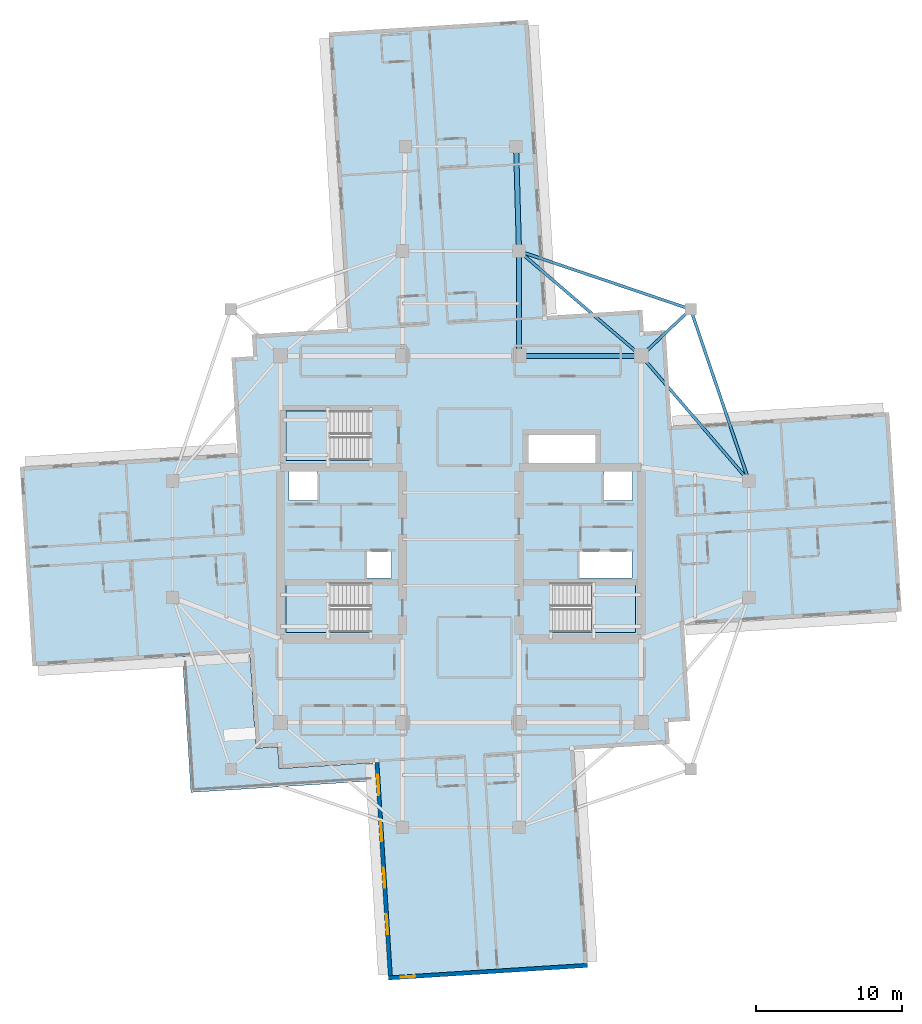
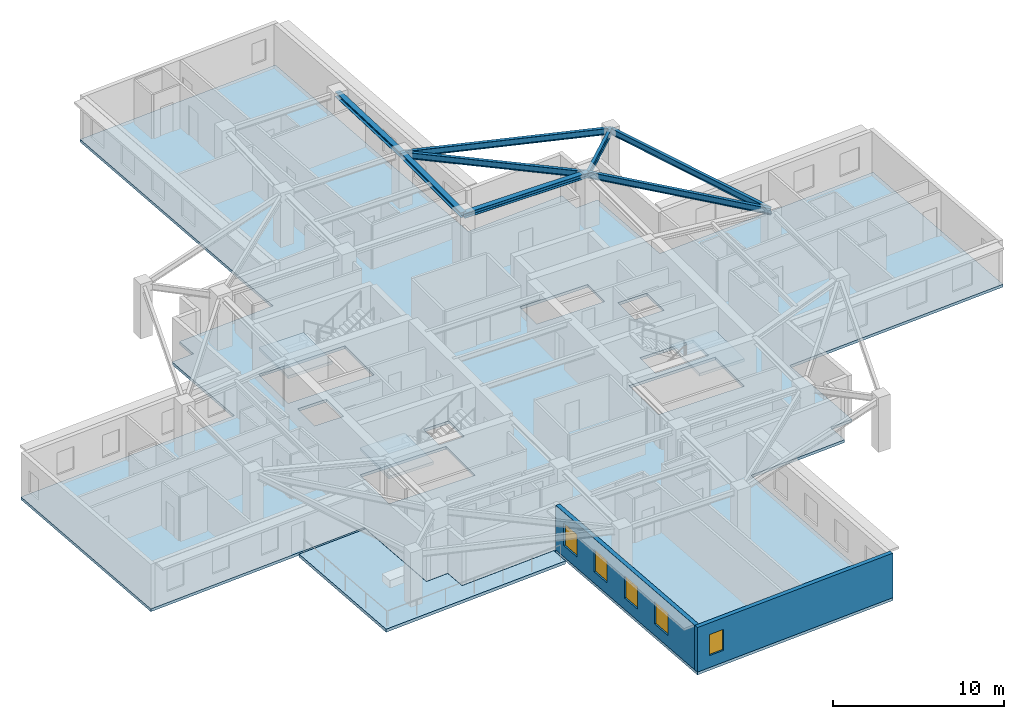
# One storey, part 2 of 12: 8 beams, 5 slabs, 5 windows, 2 walls, 5 openings, 3 elements without a shape of their own.
"""IFC4 building model written with IfcOpenShell, lengths in metres."""

import ifcopenshell
import ifcopenshell.guid

model = None  # the IFC model being written
_history = None  # IfcOwnerHistory: only IFC2X3 demands one
_inside = {}  # id of a spatial element -> (the spatial element, [elements in it])
_under = {}  # id of a project, library or spatial element -> (it, [spatial elements below it])
_declared = {}  # id of a project -> (the project, [libraries it declares])
_typed = {}  # id of a type object -> (the type object, [elements of that type])
_made_of = {}  # id of a material, layer set ... -> (it, [elements and type objects made of it])


def new_model(schema):
    """Start an empty IFC model of exactly this schema.

    Asked for "IFC4X3", IfcOpenShell would pick the latest addendum, in which some entities
    have other attributes; the version numbers below select the first issue.
    IFC2X3 requires an IfcOwnerHistory on every rooted entity: one is made here for all.
    """
    global model, _history
    if schema == "IFC4X3":
        model = ifcopenshell.file(schema_version=(4, 3, 0, 0))
    else:
        model = ifcopenshell.file(schema=schema)
    _inside.clear()
    _under.clear()
    _declared.clear()
    _typed.clear()
    _made_of.clear()
    _history = None
    if model.schema == "IFC2X3":
        org = make("IfcOrganization", Name="unknown")
        user = make(
            "IfcPersonAndOrganization",
            ThePerson=make("IfcPerson", FamilyName="unknown"),
            TheOrganization=org,
        )
        app = make(
            "IfcApplication",
            ApplicationDeveloper=org,
            Version="unknown",
            ApplicationFullName="unknown",
            ApplicationIdentifier="unknown",
        )
        _history = make(
            "IfcOwnerHistory",
            OwningUser=user,
            OwningApplication=app,
            ChangeAction="ADDED",
            CreationDate=0,
        )
    return model


def make(cls, **values):
    """One entity of the class cls with the attributes given. An attribute that is None is left unset."""
    return model.create_entity(
        cls, **{name: value for name, value in values.items() if value is not None}
    )


def rooted(cls, **values):
    """An entity with a GlobalId (a new one), such as an element, a storey or a relation."""
    return make(cls, GlobalId=ifcopenshell.guid.new(), OwnerHistory=_history, **values)


def si_unit(unit_type, name, prefix=None):
    """IfcSIUnit, for example si_unit("LENGTHUNIT", "METRE", prefix="MILLI")."""
    return make("IfcSIUnit", UnitType=unit_type, Prefix=prefix, Name=name)


def assignment(units):
    """IfcUnitAssignment: the units of a project."""
    return None if units is None else make("IfcUnitAssignment", Units=units)


def point(xyz):
    """IfcCartesianPoint."""
    return None if xyz is None else make("IfcCartesianPoint", Coordinates=xyz)


def direction(xyz):
    """IfcDirection."""
    return None if xyz is None else make("IfcDirection", DirectionRatios=xyz)


def frame(location, z_axis=None, x_axis=None):
    """IfcAxis2Placement3D, a coordinate frame: its origin and axes. An axis left out is left unset."""
    return make(
        "IfcAxis2Placement3D",
        Location=point(location),
        Axis=direction(z_axis),
        RefDirection=direction(x_axis),
    )


def frame_2d(location, x_axis=None):
    """IfcAxis2Placement2D, a coordinate frame in the plane: its origin and x axis."""
    return make(
        "IfcAxis2Placement2D", Location=point(location), RefDirection=direction(x_axis)
    )


def origin():
    """The frame at (0, 0, 0) with its axes left unset."""
    return frame((0.0, 0.0, 0.0))


def origin_2d():
    """The frame at (0, 0) in the plane with its x axis left unset."""
    return frame_2d((0.0, 0.0))


def place(relative_to, where):
    """IfcLocalPlacement: puts the frame where relative to a parent placement (None: the world)."""
    return make(
        "IfcLocalPlacement", PlacementRelTo=relative_to, RelativePlacement=where
    )


def context(
    kind, dimensions, precision=None, world=None, true_north=None, identifier=None
):
    """IfcGeometricRepresentationContext, for example the 3D "Model" context."""
    return make(
        "IfcGeometricRepresentationContext",
        ContextIdentifier=identifier,
        ContextType=kind,
        CoordinateSpaceDimension=dimensions,
        Precision=precision,
        WorldCoordinateSystem=world,
        TrueNorth=true_north,
    )


def subcontext(parent, identifier, kind, view, scale=None):
    """IfcGeometricRepresentationSubContext, for example "Body" below "Model"."""
    return make(
        "IfcGeometricRepresentationSubContext",
        ContextIdentifier=identifier,
        ContextType=kind,
        ParentContext=parent,
        TargetScale=scale,
        TargetView=view,
    )


def project(units=None, contexts=None):
    """IfcProject with its units and contexts."""
    return rooted(
        "IfcProject",
        Name="project",
        RepresentationContexts=contexts,
        UnitsInContext=assignment(units),
    )


def spatial(cls, under=None, at=None, **own):
    """A site, building, storey or space (cls), placed at a placement, below another one or the project."""
    s = rooted(cls, ObjectPlacement=at, **own)
    if under is not None:
        _under.setdefault(under.id(), (under, []))[1].append(s)
    return s


def polyline(points):
    """IfcPolyline through the points."""
    return make("IfcPolyline", Points=[point(p) for p in points])


def profile(cls, at=None, kind="AREA", **sizes):
    """A parametric profile (cls). Its sizes go by their IFC names, for example OverallWidth=200.0."""
    return make(cls, ProfileType=kind, Position=at, **sizes)


def rectangle(**sizes):
    """IfcRectangleProfileDef."""
    return profile("IfcRectangleProfileDef", **sizes)


def i_section(**sizes):
    """IfcIShapeProfileDef."""
    return profile("IfcIShapeProfileDef", **sizes)


def outline(outer, holes=None, kind="AREA"):
    """IfcArbitraryClosedProfileDef: a profile drawn as a closed curve; with holes, ...WithVoids."""
    if holes is None:
        return make("IfcArbitraryClosedProfileDef", ProfileType=kind, OuterCurve=outer)
    return make(
        "IfcArbitraryProfileDefWithVoids",
        ProfileType=kind,
        OuterCurve=outer,
        InnerCurves=holes,
    )


def extrude(swept, where, along, depth):
    """IfcExtrudedAreaSolid: the profile swept, set in the frame where, extruded along a direction by depth."""
    return make(
        "IfcExtrudedAreaSolid",
        SweptArea=swept,
        Position=where,
        ExtrudedDirection=direction(along),
        Depth=depth,
    )


def shape(context_of_items, identifier, shape_type, items):
    """IfcShapeRepresentation: the items that make up one representation, for example the "Body"."""
    return make(
        "IfcShapeRepresentation",
        ContextOfItems=context_of_items,
        RepresentationIdentifier=identifier,
        RepresentationType=shape_type,
        Items=items,
    )


def material(Name=None, Category=None):
    """IfcMaterial."""
    return make("IfcMaterial", Name=Name, Category=Category)


def layer(
    of_material, thickness, ventilated=None, Name=None, Category=None, Priority=None
):
    """IfcMaterialLayer: one layer of a wall or slab, of a material (None: an air gap)."""
    return make(
        "IfcMaterialLayer",
        Material=of_material,
        LayerThickness=thickness,
        IsVentilated=ventilated,
        Name=Name,
        Category=Category,
        Priority=Priority,
    )


def layer_set(layers, Name=None):
    """IfcMaterialLayerSet."""
    return make("IfcMaterialLayerSet", MaterialLayers=layers, LayerSetName=Name)


def material_profile(
    of_material, cross_section, Name=None, Category=None, Priority=None
):
    """IfcMaterialProfile: a cross section and its material."""
    return make(
        "IfcMaterialProfile",
        Name=Name,
        Material=of_material,
        Profile=cross_section,
        Priority=Priority,
        Category=Category,
    )


def profile_set(profiles, Name=None, composite=None):
    """IfcMaterialProfileSet."""
    return make(
        "IfcMaterialProfileSet",
        Name=Name,
        MaterialProfiles=profiles,
        CompositeProfile=composite,
    )


def made_of(thing, what):
    """Note that an element or type object is made of a material, layer set ...; save() writes the relation."""
    if what is not None:
        _made_of.setdefault(what.id(), (what, []))[1].append(thing)
    return thing


def type_object(cls, material=None, **own):
    """A type object (cls), such as IfcWallType, which elements share."""
    return made_of(rooted(cls, **own), material)


def element(
    cls,
    number,
    at=None,
    inside=None,
    cuts=None,
    type_object=None,
    material=None,
    context=None,
    identifier="Body",
    shape_type=None,
    held_by="IfcProductDefinitionShape",
    body=None,
    shapes=None,
    **own,
):
    """One element of the class cls, such as IfcWall. Its Tag is "e" and its number.

    at: its placement. inside: the storey or other place that contains it. cuts: it is an
    opening in that element (IfcRelVoidsElement). A single representation is given by context,
    identifier, shape_type and body (its items); several are given by shapes. held_by: the class
    of the entity that holds the representations. save() writes the other relations.
    """
    e = rooted(cls, Tag="e%d" % number, ObjectPlacement=at, **own)
    if body is not None:
        shapes = [shape(context, identifier, shape_type, body)]
    if shapes is not None:
        e.Representation = make(held_by, Representations=shapes)
    if inside is not None:
        _inside.setdefault(inside.id(), (inside, []))[1].append(e)
    if cuts is not None:
        rooted(
            "IfcRelVoidsElement", RelatingBuildingElement=cuts, RelatedOpeningElement=e
        )
    if type_object is not None:
        _typed.setdefault(type_object.id(), (type_object, []))[1].append(e)
    return made_of(e, material)


def fill(opening, filler):
    """IfcRelFillsElement: the door or window that sits in an opening."""
    return rooted(
        "IfcRelFillsElement",
        RelatingOpeningElement=opening,
        RelatedBuildingElement=filler,
    )


def aggregate(whole, parts):
    """IfcRelAggregates: a whole, such as a stair, and the parts it consists of."""
    return rooted("IfcRelAggregates", RelatingObject=whole, RelatedObjects=parts)


def save(model, path):
    """Write the relations noted so far, then the file.

    IfcRelAggregates (storeys below a building ...), IfcRelContainedInSpatialStructure (elements
    in a storey), IfcRelDefinesByType, IfcRelAssociatesMaterial and IfcRelDeclares: one each for
    every whole, place, type object, material and project.
    """
    for whole, parts in _under.values():
        aggregate(whole, parts)
    for where, things in _inside.values():
        rooted(
            "IfcRelContainedInSpatialStructure",
            RelatedElements=things,
            RelatingStructure=where,
        )
    for kind, things in _typed.values():
        rooted("IfcRelDefinesByType", RelatedObjects=things, RelatingType=kind)
    for what, things in _made_of.values():
        rooted("IfcRelAssociatesMaterial", RelatedObjects=things, RelatingMaterial=what)
    for by, libraries in _declared.values():
        rooted("IfcRelDeclares", RelatingContext=by, RelatedDefinitions=libraries)
    model.write(path)


model = new_model("IFC4")

# Units and contexts
model_context = context("Model", 3, precision=1e-05, world=origin(), true_north=direction((0.0, 1.0)))
body_context = subcontext(model_context, "Body", "Model", "MODEL_VIEW")
ifc_project = project(units=[si_unit("LENGTHUNIT", "METRE"), si_unit("AREAUNIT", "SQUARE_METRE"), si_unit("VOLUMEUNIT", "CUBIC_METRE"), si_unit("PLANEANGLEUNIT", "RADIAN"), si_unit("MASSUNIT", "GRAM", prefix="KILO")], contexts=[model_context])

# Site, building, storey
site_placement = place(None, origin())
site = spatial("IfcSite", under=ifc_project, at=site_placement, CompositionType="ELEMENT")
building_placement = place(site_placement, origin())
building = spatial("IfcBuilding", under=site, at=building_placement, Name="Qingluan Cross Belvedere", CompositionType="ELEMENT")
storey_placement = place(building_placement, frame((0.0, 0.0, 209.10009765625)))
storey = spatial("IfcBuildingStorey", under=building, at=storey_placement, Name="L52", CompositionType="ELEMENT", Elevation=209.10009765625)

# Beams
ifc_material_1 = material(Name="Steel Q420GJB", Category="steel")
ifc_material_profile_1 = material_profile(ifc_material_1, i_section(OverallWidth=0.199951171875, OverallDepth=0.449951171875, WebThickness=0.009033203125, FlangeThickness=0.013916015625, FilletRadius=0.01611328125, at=origin_2d()), Name="HN450x200x9x14")
ifc_profile_set_1 = profile_set([ifc_material_profile_1], Name="Steel Q420GJB")
beam_type_1 = type_object("IfcBeamType", Name="Steel_Beam_HN450x200x9x14", PredefinedType="JOIST", material=ifc_profile_set_1)
beam_1_placement = place(storey_placement, frame((12.39990234375, 12.60009765625, 3.474853515625), z_axis=(0.728219948308, 0.685343495546, 0.0), x_axis=(-0.685343495546, 0.728219948308, 0.0)))
element("IfcBeam", 1, at=beam_1_placement, inside=storey, type_object=beam_type_1, Name="Corner beam 1 L52-RNE", PredefinedType="JOIST", context=body_context, shape_type="SweptSolid", body=[
    extrude(i_section(OverallWidth=0.199951171875, OverallDepth=0.449951171875, WebThickness=0.009033203125, FlangeThickness=0.013916015625, FilletRadius=0.01611328125, at=origin_2d()), origin(), (0.0, 0.0, 1.0), 4.669189453125),
])
for number, where, z_axis, x_axis, name in (
    (2, (15.800048828125, 15.800048828125, 3.474853515625), (-0.947066283324, 0.321038089628, 0.0), (-0.321038089628, -0.947066283324, 0.0), "Corner beam 2 L52-RNE"),
    (3, (15.800048828125, 15.800048828125, 3.474853515625), (0.321038089628, -0.947066283324, 0.0), (0.947066283324, 0.321038089628, 0.0), "Corner beam 3 L52-RNE"),
):
    element("IfcBeam", number, at=place(storey_placement, frame(where, z_axis=z_axis, x_axis=x_axis)), inside=storey, type_object=beam_type_1, Name=name, PredefinedType="JOIST", context=body_context, shape_type="SweptSolid", body=[
        extrude(i_section(OverallWidth=0.199951171875, OverallDepth=0.449951171875, WebThickness=0.009033203125, FlangeThickness=0.013916015625, FilletRadius=0.01611328125, at=origin_2d()), origin(), (0.0, 0.0, 1.0), 12.45947265625),
    ])
beam_2_placement = place(storey_placement, frame((12.39990234375, 12.60009765625, 3.474853515625), z_axis=(0.652245077546, -0.75800815221, 0.0), x_axis=(0.75800815221, 0.652245077546, 0.0)))
element("IfcBeam", 4, at=beam_2_placement, inside=storey, type_object=beam_type_1, Name="Corner beam 4 L52-RNE", PredefinedType="JOIST", context=body_context, shape_type="SweptSolid", body=[
    extrude(i_section(OverallWidth=0.199951171875, OverallDepth=0.449951171875, WebThickness=0.009033203125, FlangeThickness=0.013916015625, FilletRadius=0.01611328125, at=origin_2d()), origin(), (0.0, 0.0, 1.0), 11.345703125),
])
beam_3_placement = place(storey_placement, frame((12.39990234375, 12.60009765625, 3.474853515625), z_axis=(-0.759255044656, 0.650793190779, 0.0), x_axis=(-0.650793190779, -0.759255044656, 0.0)))
element("IfcBeam", 5, at=beam_3_placement, inside=storey, type_object=beam_type_1, Name="Corner beam 5 L52-RNE", PredefinedType="JOIST", context=body_context, shape_type="SweptSolid", body=[
    extrude(i_section(OverallWidth=0.199951171875, OverallDepth=0.449951171875, WebThickness=0.009033203125, FlangeThickness=0.013916015625, FilletRadius=0.01611328125, at=origin_2d()), origin(), (0.0, 0.0, 1.0), 11.063232421875),
])
ifc_material_2 = material(Name="Steel Q420GJB", Category="steel")
ifc_material_profile_2 = material_profile(ifc_material_2, i_section(OverallWidth=0.35009765625, OverallDepth=0.35009765625, WebThickness=0.011962890625, FlangeThickness=0.01904296875, FilletRadius=0.02001953125, at=origin_2d()), Name="HW350x350x12x19")
ifc_profile_set_2 = profile_set([ifc_material_profile_2], Name="Steel Q420GJB")
beam_type_2 = type_object("IfcBeamType", Name="Steel_Girder_HW350x350x12x19", PredefinedType="USERDEFINED", material=ifc_profile_set_2)
beam_4_placement = place(storey_placement, frame((4.0, 12.60009765625, 3.52490234375), z_axis=(1.0, 0.0, 0.0), x_axis=(0.0, 1.0, 0.0)))
element("IfcBeam", 6, at=beam_4_placement, inside=storey, type_object=beam_type_2, Name="Hub girder L52-HG-N3", ObjectType="GIRDER", PredefinedType="USERDEFINED", context=body_context, shape_type="SweptSolid", body=[
    extrude(i_section(OverallWidth=0.35009765625, OverallDepth=0.35009765625, WebThickness=0.011962890625, FlangeThickness=0.01904296875, FilletRadius=0.02001953125, at=origin_2d()), origin(), (0.0, 0.0, 1.0), 8.39990234375),
])
beam_5_placement = place(storey_placement, frame((4.0, 12.60009765625, 3.52490234375), z_axis=(0.0, 1.0, 0.0), x_axis=(-1.0, 0.0, 0.0)))
element("IfcBeam", 7, at=beam_5_placement, inside=storey, type_object=beam_type_2, Name="Arm N radial girder B L52", ObjectType="GIRDER", PredefinedType="USERDEFINED", context=body_context, shape_type="SweptSolid", body=[
    extrude(i_section(OverallWidth=0.35009765625, OverallDepth=0.35009765625, WebThickness=0.011962890625, FlangeThickness=0.01904296875, FilletRadius=0.02001953125, at=origin_2d()), origin(), (0.0, 0.0, 1.0), 7.199951171875),
])
beam_6_placement = place(storey_placement, frame((4.0, 19.800048828125, 3.52490234375), z_axis=(-0.027760481514, 0.999614603568, 0.0), x_axis=(-0.999614603568, -0.027760481514, 0.0)))
element("IfcBeam", 8, at=beam_6_placement, inside=storey, type_object=beam_type_2, Name="Arm N outer radial girder B L52", ObjectType="GIRDER", PredefinedType="USERDEFINED", context=body_context, shape_type="SweptSolid", body=[
    extrude(i_section(OverallWidth=0.35009765625, OverallDepth=0.35009765625, WebThickness=0.011962890625, FlangeThickness=0.01904296875, FilletRadius=0.02001953125, at=origin_2d()), origin(), (0.0, 0.0, 1.0), 7.20263671875),
])

# Slab
ifc_material_3 = material(Name="Concrete C40", Category="concrete")
ifc_layer_1 = layer(ifc_material_3, 0.199951171875, Name="FloorSlab_200")
ifc_layer_set_1 = layer_set([ifc_layer_1], Name="Concrete C40")
slab_type_1 = type_object("IfcSlabType", Name="FloorSlab_200", PredefinedType="FLOOR", material=ifc_layer_set_1)
slab_1_placement = place(storey_placement, frame((0.0, 0.0, -0.2001953125)))
element("IfcSlab", 9, at=slab_1_placement, inside=storey, type_object=slab_type_1, Name="Structural floor slab L52", PredefinedType="FLOOR", context=body_context, shape_type="SweptSolid", body=[
    extrude(outline(polyline([(8.72509765625, -29.43017578125), (7.78466796875, -14.479736328125), (14.3515625, -14.066650390625), (14.25732421875, -12.569580078125), (15.75439453125, -12.475341796875), (15.34130859375, -5.908447265625), (30.291748046875, -4.9677734375), (29.43017578125, 8.72509765625), (14.479736328125, 7.78466796875), (14.066650390625, 14.3515625), (12.569580078125, 14.25732421875), (12.475341796875, 15.75439453125), (5.908447265625, 15.34130859375), (4.628662109375, 35.680908203125), (-9.064208984375, 34.819580078125), (-7.78466796875, 14.479736328125), (-14.3515625, 14.066650390625), (-14.25732421875, 12.569580078125), (-15.75439453125, 12.475341796875), (-15.34130859375, 5.908447265625), (-30.291748046875, 4.9677734375), (-29.43017578125, -8.72509765625), (-14.479736328125, -7.78466796875), (-14.066650390625, -14.3515625), (-12.569580078125, -14.25732421875), (-12.475341796875, -15.75439453125), (-5.908447265625, -15.34130859375), (-4.9677734375, -30.291748046875), (8.72509765625, -29.43017578125)]), holes=[polyline([(-12.0, -3.0), (-6.179931640625, -3.0), (-6.179931640625, -6.39990234375), (-12.0, -6.39990234375), (-12.0, -3.0)]), polyline([(6.179931640625, -3.0), (12.0, -3.0), (12.0, -6.39990234375), (6.179931640625, -6.39990234375), (6.179931640625, -3.0)]), polyline([(-12.0, 8.820068359375), (-6.179931640625, 8.820068359375), (-6.179931640625, 5.419921875), (-12.0, 5.419921875), (-12.0, 8.820068359375)]), polyline([(-11.800048828125, 4.64990234375), (-9.85009765625, 4.64990234375), (-9.85009765625, 2.64990234375), (-11.800048828125, 2.64990234375), (-11.800048828125, 4.64990234375)]), polyline([(9.85009765625, 4.64990234375), (11.800048828125, 4.64990234375), (11.800048828125, 2.64990234375), (9.85009765625, 2.64990234375), (9.85009765625, 4.64990234375)]), polyline([(-6.449951171875, -0.840087890625), (-4.75, -0.840087890625), (-4.75, -2.659912109375), (-6.449951171875, -2.659912109375), (-6.449951171875, -0.840087890625)]), polyline([(8.14990234375, -0.840087890625), (11.75, -0.840087890625), (11.75, -2.659912109375), (8.14990234375, -2.659912109375), (8.14990234375, -0.840087890625)]), polyline([(4.64990234375, 7.14990234375), (9.25, 7.14990234375), (9.25, 5.14990234375), (4.64990234375, 5.14990234375), (4.64990234375, 7.14990234375)])]), origin(), (0.0, 0.0, 1.0), 0.2001953125),
])

# Stair, slab
ifc_material_4 = material(Name="Concrete C40", Category="concrete")
stair_type = type_object("IfcStairType", Name="CoreDoglegStair_1620", PredefinedType="HALF_TURN_STAIR", material=ifc_material_4)
stair_1_placement = place(storey_placement, origin())
stair_1 = element("IfcStair", 10, at=stair_1_placement, inside=storey, type_object=stair_type, Name="L52 ST1", PredefinedType="HALF_TURN_STAIR")
ifc_material_5 = material(Name="Concrete C40", Category="concrete")
ifc_layer_2 = layer(ifc_material_5, 0.179931640625, Name="StairLandingSlab_180")
ifc_layer_set_2 = layer_set([ifc_layer_2], Name="Concrete C40")
slab_type_2 = type_object("IfcSlabType", Name="StairLandingSlab_180", PredefinedType="LANDING", material=ifc_layer_set_2)
slab_2_placement = place(storey_placement, frame((0.0, 0.0, 1.75)))
slab_2 = element("IfcSlab", 11, at=slab_2_placement, type_object=slab_type_2, Name="ST1 landing 1", PredefinedType="LANDING", context=body_context, shape_type="SweptSolid", body=[
    extrude(outline(polyline([(-8.97998046875, -3.0), (-12.0, -3.0), (-12.0, -6.39990234375), (-8.97998046875, -6.39990234375), (-8.97998046875, -3.0)])), origin(), (0.0, 0.0, 1.0), 0.199951171875),
])
aggregate(stair_1, [slab_2])

stair_2_placement = place(storey_placement, origin())
stair_2 = element("IfcStair", 12, at=stair_2_placement, inside=storey, type_object=stair_type, Name="L52 ST2", PredefinedType="HALF_TURN_STAIR")
slab_3_placement = place(storey_placement, frame((0.0, 0.0, 1.75)))
slab_3 = element("IfcSlab", 13, at=slab_3_placement, type_object=slab_type_2, Name="ST2 landing 1", PredefinedType="LANDING", context=body_context, shape_type="SweptSolid", body=[
    extrude(outline(polyline([(8.97998046875, -6.39990234375), (12.0, -6.39990234375), (12.0, -3.0), (8.97998046875, -3.0), (8.97998046875, -6.39990234375)])), origin(), (0.0, 0.0, 1.0), 0.199951171875),
])
aggregate(stair_2, [slab_3])

stair_3_placement = place(storey_placement, origin())
stair_3 = element("IfcStair", 14, at=stair_3_placement, inside=storey, type_object=stair_type, Name="L52 ST3", PredefinedType="HALF_TURN_STAIR")
slab_4_placement = place(storey_placement, frame((0.0, 0.0, 1.75)))
slab_4 = element("IfcSlab", 15, at=slab_4_placement, type_object=slab_type_2, Name="ST3 landing 1", PredefinedType="LANDING", context=body_context, shape_type="SweptSolid", body=[
    extrude(outline(polyline([(-8.97998046875, 8.820068359375), (-12.0, 8.820068359375), (-12.0, 5.419921875), (-8.97998046875, 5.419921875), (-8.97998046875, 8.820068359375)])), origin(), (0.0, 0.0, 1.0), 0.199951171875),
])
aggregate(stair_3, [slab_4])

# Slab
ifc_material_6 = material(Name="Concrete C40", Category="concrete")
ifc_layer_3 = layer(ifc_material_6, 0.219970703125, Name="TerraceSlab_220")
ifc_layer_set_3 = layer_set([ifc_layer_3], Name="Concrete C40")
slab_type_3 = type_object("IfcSlabType", Name="TerraceSlab_220", PredefinedType="FLOOR", material=ifc_layer_set_3)
slab_5_placement = place(storey_placement, frame((0.0, 0.0, -0.22021484375)))
element("IfcSlab", 16, at=slab_5_placement, inside=storey, type_object=slab_type_3, Name="Spiralling winter-garden terrace slab L52", PredefinedType="FLOOR", context=body_context, shape_type="SweptSolid", body=[
    extrude(outline(polyline([(-6.047607421875, -15.360107421875), (-12.48046875, -15.76318359375), (-12.578857421875, -14.26806640625), (-14.06591796875, -14.361572265625), (-14.076416015625, -14.35400390625), (-14.48095703125, -7.9248046875), (-19.121826171875, -8.216796875), (-18.544189453125, -17.398681640625), (-5.968994140625, -16.607666015625), (-6.047607421875, -15.360107421875)])), origin(), (0.0, 0.0, 1.0), 0.22021484375),
])

# Wall, openings, windows
ifc_material_7 = material(Name="Precast concrete C45", Category="concrete")
ifc_layer_4 = layer(ifc_material_7, 0.280029296875, Name="PrecastFacadeWall_280")
ifc_layer_set_4 = layer_set([ifc_layer_4], Name="Precast concrete C45")
wall_type = type_object("IfcWallType", Name="PrecastFacadeWall_280", PredefinedType="STANDARD", material=ifc_layer_set_4)
wall_1_placement = place(storey_placement, frame((-5.7685546875, -15.33251953125, 0.0), z_axis=(0.0, 0.0, 1.0), x_axis=(0.062779465852, -0.998027423805, 0.0)))
wall_1 = element("IfcWall", 17, at=wall_1_placement, inside=storey, type_object=wall_type, Name="Facade wall L52-SA", PredefinedType="STANDARD", context=body_context, shape_type="SweptSolid", body=[
    extrude(rectangle(XDim=14.699951171875, YDim=0.280029296875, at=frame_2d((7.35009765625, 0.0))), origin(), (0.0, 0.0, 1.0), 3.179931640625),
])
opening_1_placement = place(wall_1_placement, frame((0.85009765625, 0.0, 0.800048828125)))
opening_1 = element("IfcOpeningElement", 18, at=opening_1_placement, cuts=wall_1, Name="Opening W-01", PredefinedType="OPENING", context=body_context, shape_type="SweptSolid", body=[
    extrude(rectangle(XDim=1.39990234375, YDim=1.60009765625, at=frame_2d((0.699951171875, 0.800048828125))), frame((0.0, 0.14990234375, 0.0), z_axis=(0.0, -1.0, 0.0), x_axis=(1.0, 0.0, 0.0)), (0.0, 0.0, 1.0), 0.300048828125),
])
opening_2_placement = place(wall_1_placement, frame((4.050048828125, 0.0, 0.800048828125)))
opening_2 = element("IfcOpeningElement", 19, at=opening_2_placement, cuts=wall_1, Name="Opening W-01", PredefinedType="OPENING", context=body_context, shape_type="SweptSolid", body=[
    extrude(rectangle(XDim=1.39990234375, YDim=1.60009765625, at=frame_2d((0.699951171875, 0.800048828125))), frame((0.0, 0.14990234375, 0.0), z_axis=(0.0, -1.0, 0.0), x_axis=(1.0, 0.0, 0.0)), (0.0, 0.0, 1.0), 0.300048828125),
])
opening_3_placement = place(wall_1_placement, frame((7.25, 0.0, 0.800048828125)))
opening_3 = element("IfcOpeningElement", 20, at=opening_3_placement, cuts=wall_1, Name="Opening W-01", PredefinedType="OPENING", context=body_context, shape_type="SweptSolid", body=[
    extrude(rectangle(XDim=1.39990234375, YDim=1.60009765625, at=frame_2d((0.699951171875, 0.800048828125))), frame((0.0, 0.14990234375, 0.0), z_axis=(0.0, -1.0, 0.0), x_axis=(1.0, 0.0, 0.0)), (0.0, 0.0, 1.0), 0.300048828125),
])
opening_4_placement = place(wall_1_placement, frame((10.449951171875, 0.0, 0.800048828125)))
opening_4 = element("IfcOpeningElement", 21, at=opening_4_placement, cuts=wall_1, Name="Opening W-01", PredefinedType="OPENING", context=body_context, shape_type="SweptSolid", body=[
    extrude(rectangle(XDim=1.39990234375, YDim=1.60009765625, at=frame_2d((0.699951171875, 0.800048828125))), frame((0.0, 0.14990234375, 0.0), z_axis=(0.0, -1.0, 0.0), x_axis=(1.0, 0.0, 0.0)), (0.0, 0.0, 1.0), 0.300048828125),
])
ifc_material_8 = material(Name="Thermally broken triple Low-E glass in aluminium frame", Category="aluminium")
window_type_1 = type_object("IfcWindowType", Name="TriRibbonWin_1400x1600", PartitioningType="SINGLE_PANEL", PredefinedType="WINDOW", material=ifc_material_8)
window_1_placement = place(opening_1_placement, origin())
window_1 = element("IfcWindow", 22, at=window_1_placement, inside=storey, type_object=window_type_1, Name="Ribbon window L52-SA-1", OverallHeight=1.60009765625, OverallWidth=1.39990234375, PartitioningType="SINGLE_PANEL", PredefinedType="WINDOW", context=body_context, shape_type="SweptSolid", body=[
    extrude(rectangle(XDim=1.39990234375, YDim=1.60009765625, at=frame_2d((0.699951171875, 0.800048828125))), frame((0.0, 0.030029296875, 0.0), z_axis=(0.0, -1.0, 0.0), x_axis=(1.0, 0.0, 0.0)), (0.0, 0.0, 1.0), 0.06005859375),
])
fill(opening_1, window_1)
window_2_placement = place(opening_2_placement, origin())
window_2 = element("IfcWindow", 23, at=window_2_placement, inside=storey, type_object=window_type_1, Name="Ribbon window L52-SA-2", OverallHeight=1.60009765625, OverallWidth=1.39990234375, PartitioningType="SINGLE_PANEL", PredefinedType="WINDOW", context=body_context, shape_type="SweptSolid", body=[
    extrude(rectangle(XDim=1.39990234375, YDim=1.60009765625, at=frame_2d((0.699951171875, 0.800048828125))), frame((0.0, 0.030029296875, 0.0), z_axis=(0.0, -1.0, 0.0), x_axis=(1.0, 0.0, 0.0)), (0.0, 0.0, 1.0), 0.06005859375),
])
fill(opening_2, window_2)
window_3_placement = place(opening_3_placement, origin())
window_3 = element("IfcWindow", 24, at=window_3_placement, inside=storey, type_object=window_type_1, Name="Ribbon window L52-SA-3", OverallHeight=1.60009765625, OverallWidth=1.39990234375, PartitioningType="SINGLE_PANEL", PredefinedType="WINDOW", context=body_context, shape_type="SweptSolid", body=[
    extrude(rectangle(XDim=1.39990234375, YDim=1.60009765625, at=frame_2d((0.699951171875, 0.800048828125))), frame((0.0, 0.030029296875, 0.0), z_axis=(0.0, -1.0, 0.0), x_axis=(1.0, 0.0, 0.0)), (0.0, 0.0, 1.0), 0.06005859375),
])
fill(opening_3, window_3)
window_4_placement = place(opening_4_placement, origin())
window_4 = element("IfcWindow", 25, at=window_4_placement, inside=storey, type_object=window_type_1, Name="Ribbon window L52-SA-4", OverallHeight=1.60009765625, OverallWidth=1.39990234375, PartitioningType="SINGLE_PANEL", PredefinedType="WINDOW", context=body_context, shape_type="SweptSolid", body=[
    extrude(rectangle(XDim=1.39990234375, YDim=1.60009765625, at=frame_2d((0.699951171875, 0.800048828125))), frame((0.0, 0.030029296875, 0.0), z_axis=(0.0, -1.0, 0.0), x_axis=(1.0, 0.0, 0.0)), (0.0, 0.0, 1.0), 0.06005859375),
])
fill(opening_4, window_4)

# Wall, opening, window
wall_2_placement = place(storey_placement, frame((-4.9765625, -30.152099609375, 0.0), z_axis=(0.0, 0.0, 1.0), x_axis=(0.998026318072, 0.062797041623, 0.0)))
wall_2 = element("IfcWall", 26, at=wall_2_placement, inside=storey, type_object=wall_type, Name="Arm tip precast facade wall L52-S", PredefinedType="STANDARD", context=body_context, shape_type="SweptSolid", body=[
    extrude(rectangle(XDim=13.719970703125, YDim=0.280029296875, at=frame_2d((6.85986328125, 0.0))), origin(), (0.0, 0.0, 1.0), 3.179931640625),
])
opening_5_placement = place(wall_2_placement, frame((0.85009765625, 0.0, 0.85009765625)))
opening_5 = element("IfcOpeningElement", 27, at=opening_5_placement, cuts=wall_2, Name="Opening W-03", PredefinedType="OPENING", context=body_context, shape_type="SweptSolid", body=[
    extrude(rectangle(XDim=1.0, YDim=1.5, at=frame_2d((0.5, 0.75))), frame((0.0, 0.14990234375, 0.0), z_axis=(0.0, -1.0, 0.0), x_axis=(1.0, 0.0, 0.0)), (0.0, 0.0, 1.0), 0.300048828125),
])
ifc_material_9 = material(Name="Thermally broken triple Low-E glass in aluminium frame", Category="aluminium")
window_type_2 = type_object("IfcWindowType", Name="TriApexWin_1000x1500", PartitioningType="SINGLE_PANEL", PredefinedType="WINDOW", material=ifc_material_9)
window_5_placement = place(opening_5_placement, origin())
window_5 = element("IfcWindow", 28, at=window_5_placement, inside=storey, type_object=window_type_2, Name="Arm tip triangular window L52-S", OverallHeight=1.5, OverallWidth=1.0, PartitioningType="SINGLE_PANEL", PredefinedType="WINDOW", context=body_context, shape_type="SweptSolid", body=[
    extrude(rectangle(XDim=1.0, YDim=1.5, at=frame_2d((0.5, 0.75))), frame((0.0, 0.030029296875, 0.0), z_axis=(0.0, -1.0, 0.0), x_axis=(1.0, 0.0, 0.0)), (0.0, 0.0, 1.0), 0.06005859375),
])
fill(opening_5, window_5)

save(model, "model.ifc")
